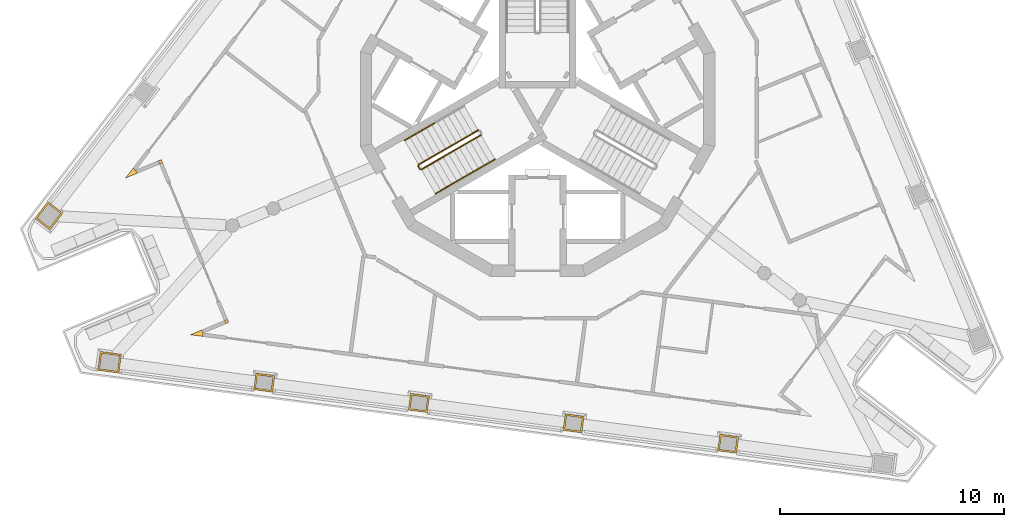
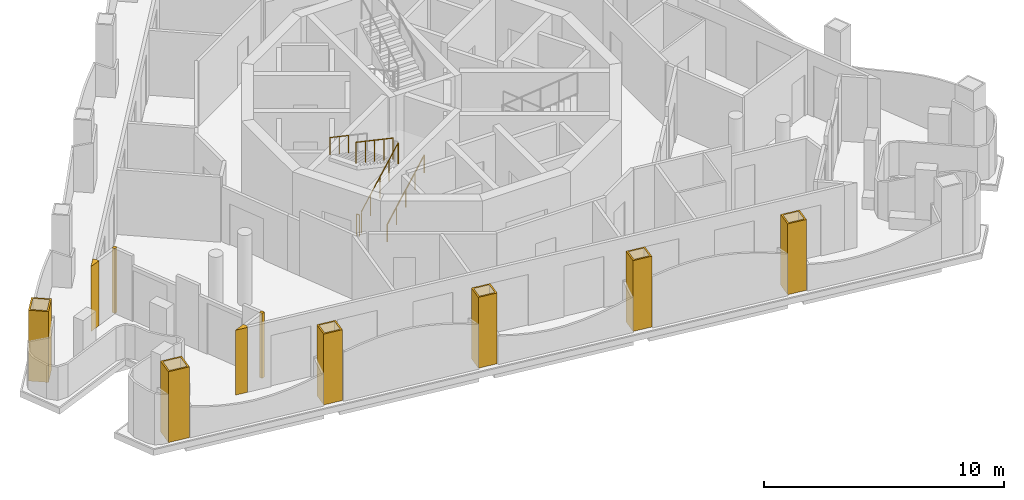
# One storey, part 7 of 12: 10 coverings, 6 railings.
"""IFC4 building model written with IfcOpenShell, lengths in metres."""

from ifc_helpers import new_model, si_unit, direction, frame, origin, origin_2d, place, context, subcontext, project, spatial, polyline, circle, outline, extrude, material, layer, layer_set, type_object, element, save


model = new_model("IFC4")

# Units and contexts
model_context = context("Model", 3, precision=1e-05, world=origin(), true_north=direction((0.0, 1.0)))
body_context = subcontext(model_context, "Body", "Model", "MODEL_VIEW")
ifc_project = project(units=[si_unit("LENGTHUNIT", "METRE"), si_unit("AREAUNIT", "SQUARE_METRE"), si_unit("VOLUMEUNIT", "CUBIC_METRE"), si_unit("PLANEANGLEUNIT", "RADIAN"), si_unit("MASSUNIT", "GRAM", prefix="KILO")], contexts=[model_context])

# Site, building, storey
site_placement = place(None, origin())
site = spatial("IfcSite", under=ifc_project, at=site_placement, CompositionType="ELEMENT")
building_placement = place(site_placement, origin())
building = spatial("IfcBuilding", under=site, at=building_placement, Name="Trine Commons Tower", CompositionType="ELEMENT")
storey_placement = place(building_placement, frame((0.0, 0.0, 282.60009765625)))
storey = spatial("IfcBuildingStorey", under=building, at=storey_placement, Name="L74", CompositionType="ELEMENT", Elevation=282.60009765625)

# Coverings
ifc_material_1 = material(Name="Aluminium-framed insulated wall panel", Category="aluminium")
ifc_layer_1 = layer(ifc_material_1, 0.14990234375)
ifc_layer_set_1 = layer_set([ifc_layer_1], Name="Aluminium-framed insulated wall panel")
covering_type_1 = type_object("IfcCoveringType", Name="Glazing corner post, aluminium", PredefinedType="CLADDING", material=ifc_layer_set_1)
covering_1_placement = place(storey_placement, origin())
element("IfcCovering", 1, at=covering_1_placement, inside=storey, type_object=covering_type_1, Name="Glazing corner post 8-01", PredefinedType="CLADDING", context=body_context, shape_type="SweptSolid", body=[
    extrude(outline(polyline([(62.0380859375, 59.324462890625), (61.919189453125, 59.416015625), (61.578369140625, 58.9716796875), (62.095458984375, 59.18603515625), (62.0380859375, 59.324462890625), (62.0380859375, 59.324462890625)])), origin(), (0.0, 0.0, 1.0), 3.2998046875),
])
covering_2_placement = place(storey_placement, origin())
element("IfcCovering", 2, at=covering_2_placement, inside=storey, type_object=covering_type_1, Name="Glazing corner post 8-10", PredefinedType="CLADDING", context=body_context, shape_type="SweptSolid", body=[
    extrude(outline(polyline([(65.033935546875, 51.895751953125), (65.0537109375, 52.04443359375), (64.99609375, 52.18310546875), (64.47900390625, 51.96875), (65.033935546875, 51.895751953125)])), origin(), (0.0, 0.0, 1.0), 3.2998046875),
])
covering_3_placement = place(storey_placement, origin())
element("IfcCovering", 3, at=covering_3_placement, inside=storey, type_object=covering_type_1, Name="Glazing corner post 8-11", PredefinedType="CLADDING", context=body_context, shape_type="SweptSolid", body=[
    extrude(outline(polyline([(66.056640625, 52.4599609375), (66.1953125, 52.517333984375), (66.137939453125, 52.65576171875), (65.999267578125, 52.598388671875), (66.056640625, 52.4599609375)])), origin(), (0.0, 0.0, 1.0), 3.2998046875),
])
covering_4_placement = place(storey_placement, origin())
element("IfcCovering", 4, at=covering_4_placement, inside=storey, type_object=covering_type_1, Name="Glazing corner post 8-12", PredefinedType="CLADDING", context=body_context, shape_type="SweptSolid", body=[
    extrude(outline(polyline([(63.041015625, 59.739990234375), (63.098388671875, 59.601318359375), (63.237060546875, 59.658935546875), (63.1796875, 59.79736328125), (63.041015625, 59.739990234375)])), origin(), (0.0, 0.0, 1.0), 3.2998046875),
])
ifc_material_2 = material(Name="Limestone, honed", Category="masonry")
ifc_layer_2 = layer(ifc_material_2, 0.074951171875)
ifc_layer_set_2 = layer_set([ifc_layer_2], Name="Limestone, honed")
covering_type_2 = type_object("IfcCoveringType", Name="Limestone column cladding 75", PredefinedType="CLADDING", material=ifc_layer_set_2)
covering_5_placement = place(storey_placement, origin())
element("IfcCovering", 5, at=covering_5_placement, inside=storey, type_object=covering_type_2, Name="Limestone pier cladding 8-02", PredefinedType="CLADDING", context=body_context, shape_type="SweptSolid", body=[
    extrude(outline(polyline([(88.1494140625, 47.526123046875), (88.051513671875, 46.78271484375), (88.89404296875, 46.671630859375), (88.991943359375, 47.415283203125), (88.1494140625, 47.526123046875)]), holes=[polyline([(88.2138671875, 47.44189453125), (88.135498046875, 46.84716796875), (88.82958984375, 46.755859375), (88.907958984375, 47.3505859375), (88.2138671875, 47.44189453125)])]), origin(), (0.0, 0.0, 1.0), 3.599853515625),
])
covering_6_placement = place(storey_placement, origin())
element("IfcCovering", 6, at=covering_6_placement, inside=storey, type_object=covering_type_2, Name="Limestone pier cladding 8-03", PredefinedType="CLADDING", context=body_context, shape_type="SweptSolid", body=[
    extrude(outline(polyline([(81.236328125, 48.436279296875), (81.138427734375, 47.692626953125), (81.981201171875, 47.581787109375), (82.0791015625, 48.3251953125), (81.236328125, 48.436279296875)]), holes=[polyline([(81.30078125, 48.35205078125), (81.222412109375, 47.75732421875), (81.91650390625, 47.666015625), (81.994873046875, 48.2607421875), (81.30078125, 48.35205078125)])]), origin(), (0.0, 0.0, 1.0), 3.599853515625),
])
covering_7_placement = place(storey_placement, origin())
element("IfcCovering", 7, at=covering_7_placement, inside=storey, type_object=covering_type_2, Name="Limestone pier cladding 8-04", PredefinedType="CLADDING", context=body_context, shape_type="SweptSolid", body=[
    extrude(outline(polyline([(74.3232421875, 49.346435546875), (74.225341796875, 48.602783203125), (75.068115234375, 48.49169921875), (75.166015625, 49.2353515625), (74.3232421875, 49.346435546875)]), holes=[polyline([(74.3876953125, 49.26220703125), (74.309326171875, 48.66748046875), (75.00341796875, 48.575927734375), (75.081787109375, 49.1708984375), (74.3876953125, 49.26220703125)])]), origin(), (0.0, 0.0, 1.0), 3.599853515625),
])
covering_8_placement = place(storey_placement, origin())
element("IfcCovering", 8, at=covering_8_placement, inside=storey, type_object=covering_type_2, Name="Limestone pier cladding 8-05", PredefinedType="CLADDING", context=body_context, shape_type="SweptSolid", body=[
    extrude(outline(polyline([(67.41015625, 50.256591796875), (67.312255859375, 49.512939453125), (68.15478515625, 49.40185546875), (68.252685546875, 50.1455078125), (67.41015625, 50.256591796875)]), holes=[polyline([(67.474609375, 50.17236328125), (67.396240234375, 49.577392578125), (68.09033203125, 49.486083984375), (68.168701171875, 50.080810546875), (67.474609375, 50.17236328125)])]), origin(), (0.0, 0.0, 1.0), 3.599853515625),
])
covering_9_placement = place(storey_placement, origin())
element("IfcCovering", 9, at=covering_9_placement, inside=storey, type_object=covering_type_2, Name="Limestone pier cladding 8-06", PredefinedType="CLADDING", context=body_context, shape_type="SweptSolid", body=[
    extrude(outline(polyline([(60.4541015625, 51.22265625), (60.343017578125, 50.3798828125), (61.284912109375, 50.255859375), (61.39599609375, 51.0986328125), (60.4541015625, 51.22265625)]), holes=[polyline([(60.5185546875, 51.138427734375), (60.42724609375, 50.444580078125), (61.220458984375, 50.340087890625), (61.311767578125, 51.0341796875), (60.5185546875, 51.138427734375)])]), origin(), (0.0, 0.0, 1.0), 3.599853515625),
])
covering_10_placement = place(storey_placement, origin())
element("IfcCovering", 10, at=covering_10_placement, inside=storey, type_object=covering_type_2, Name="Limestone pier cladding 8-07", PredefinedType="CLADDING", context=body_context, shape_type="SweptSolid", body=[
    extrude(outline(polyline([(58.782958984375, 57.40673828125), (58.108642578125, 57.92431640625), (57.5302734375, 57.170654296875), (58.20458984375, 56.653076171875), (58.782958984375, 57.40673828125)]), holes=[polyline([(58.677734375, 57.39306640625), (58.122314453125, 57.819091796875), (57.635498046875, 57.184326171875), (58.19091796875, 56.75830078125), (58.677734375, 57.39306640625)])]), origin(), (0.0, 0.0, 1.0), 3.599853515625),
])

# Railings
ifc_material_3 = material(Name="Stainless steel balustrade", Category="steel")
railing_type_1 = type_object("IfcRailingType", Name="Stair guard, steel balustrade 1100", PredefinedType="GUARDRAIL", material=ifc_material_3)
railing_1_placement = place(storey_placement, frame((74.80517578125, 59.3564453125, 0.14990234375)))
element("IfcRailing", 11, at=railing_1_placement, inside=storey, type_object=railing_type_1, Name="L74 ST2D stair guard 1", PredefinedType="GUARDRAIL", context=body_context, shape_type="SweptSolid", body=[
    extrude(circle(Radius=0.02392578125, at=origin_2d()), frame((0.0, 0.0, 1.076171875), z_axis=(0.76340495495, 0.440743040072, 0.472184759798), x_axis=(-0.499992328818, 0.866029832698, 0.0)), (0.0, 0.0, 1.0), 3.494140625),
    extrude(circle(Radius=0.02099609375, at=origin_2d()), origin(), (0.0, 0.0, 1.0), 1.052001953125),
    extrude(circle(Radius=0.02099609375, at=origin_2d()), frame((0.6669921875, 0.385009765625, 0.41259765625)), (0.0, 0.0, 1.0), 1.052001953125),
    extrude(circle(Radius=0.02099609375, at=origin_2d()), frame((1.333740234375, 0.77001953125, 0.824951171875)), (0.0, 0.0, 1.0), 1.052001953125),
    extrude(circle(Radius=0.02099609375, at=origin_2d()), frame((2.00048828125, 1.155029296875, 1.2373046875)), (0.0, 0.0, 1.0), 1.052001953125),
    extrude(circle(Radius=0.02099609375, at=origin_2d()), frame((2.66748046875, 1.5400390625, 1.64990234375)), (0.0, 0.0, 1.0), 1.052001953125),
])
railing_2_placement = place(storey_placement, frame((77.34765625, 61.113037109375, 1.949951171875)))
element("IfcRailing", 12, at=railing_2_placement, inside=storey, type_object=railing_type_1, Name="L74 ST2D stair guard 3", PredefinedType="GUARDRAIL", context=body_context, shape_type="SweptSolid", body=[
    extrude(circle(Radius=0.02392578125, at=origin_2d()), frame((0.0, 0.0, 1.076171875), z_axis=(-0.76340495495, -0.440743040072, 0.472184759798), x_axis=(0.499992328818, -0.866029832698, 0.0)), (0.0, 0.0, 1.0), 3.494140625),
    extrude(circle(Radius=0.02099609375, at=origin_2d()), origin(), (0.0, 0.0, 1.0), 1.052001953125),
    extrude(circle(Radius=0.02099609375, at=origin_2d()), frame((-0.6669921875, -0.385009765625, 0.41259765625)), (0.0, 0.0, 1.0), 1.052001953125),
    extrude(circle(Radius=0.02099609375, at=origin_2d()), frame((-1.333740234375, -0.77001953125, 0.824951171875)), (0.0, 0.0, 1.0), 1.052001953125),
    extrude(circle(Radius=0.02099609375, at=origin_2d()), frame((-2.00048828125, -1.155029296875, 1.2373046875)), (0.0, 0.0, 1.0), 1.052001953125),
    extrude(circle(Radius=0.02099609375, at=origin_2d()), frame((-2.66748046875, -1.5400390625, 1.64990234375)), (0.0, 0.0, 1.0), 1.052001953125),
])
railing_3_placement = place(storey_placement, frame((74.73681640625, 59.374755859375, 0.0)))
element("IfcRailing", 13, at=railing_3_placement, inside=storey, type_object=railing_type_1, Name="L74 ST2D stair guard 4", PredefinedType="GUARDRAIL", context=body_context, shape_type="SweptSolid", body=[
    extrude(circle(Radius=0.02392578125, at=origin_2d()), frame((0.0, 0.0, 1.076171875), z_axis=(-0.499816412211, 0.866131372301, 0.0), x_axis=(-0.866131372301, -0.499816412211, 0.0)), (0.0, 0.0, 1.0), 0.14990234375),
    extrude(circle(Radius=0.02099609375, at=origin_2d()), origin(), (0.0, 0.0, 1.0), 1.052001953125),
    extrude(circle(Radius=0.02099609375, at=origin_2d()), frame((-0.074951171875, 0.1298828125, 0.0)), (0.0, 0.0, 1.0), 1.052001953125),
])
ifc_material_4 = material(Name="Stainless steel handrail", Category="steel")
railing_type_2 = type_object("IfcRailingType", Name="Stair handrail, steel 900", PredefinedType="HANDRAIL", material=ifc_material_4)
for number, where, name in (
    (14, (75.43017578125, 58.27392578125, 0.14990234375), "L74 ST2D stair handrail 1"),
    (15, (76.763916015625, 59.0439453125, 0.974853515625), "L74 ST2D stair handrail 2"),
):
    element("IfcRailing", number, at=place(storey_placement, frame(where)), inside=storey, type_object=railing_type_2, Name=name, PredefinedType="HANDRAIL", context=body_context, shape_type="SweptSolid", body=[
        extrude(circle(Radius=0.02099609375, at=origin_2d()), frame((0.0, 0.0, 0.87890625), z_axis=(0.76340495495, 0.440743040072, 0.472184759798), x_axis=(-0.499992328818, 0.866029832698, 0.0)), (0.0, 0.0, 1.0), 1.7470703125),
        extrude(circle(Radius=0.01513671875, at=origin_2d()), origin(), (0.0, 0.0, 1.0), 0.85791015625),
        extrude(circle(Radius=0.01513671875, at=origin_2d()), frame((0.6669921875, 0.385009765625, 0.41259765625)), (0.0, 0.0, 1.0), 0.85791015625),
        extrude(circle(Radius=0.01513671875, at=origin_2d()), frame((1.333740234375, 0.77001953125, 0.824951171875)), (0.0, 0.0, 1.0), 0.85791015625),
    ])
railing_4_placement = place(storey_placement, frame((75.388916015625, 61.425537109375, 2.77490234375)))
element("IfcRailing", 16, at=railing_4_placement, inside=storey, type_object=railing_type_2, Name="L74 ST2D stair handrail 4", PredefinedType="HANDRAIL", context=body_context, shape_type="SweptSolid", body=[
    extrude(circle(Radius=0.02099609375, at=origin_2d()), frame((0.0, 0.0, 0.87890625), z_axis=(-0.76340495495, -0.440743040072, 0.472184759798), x_axis=(0.499992328818, -0.866029832698, 0.0)), (0.0, 0.0, 1.0), 1.7470703125),
    extrude(circle(Radius=0.01513671875, at=origin_2d()), origin(), (0.0, 0.0, 1.0), 0.85791015625),
    extrude(circle(Radius=0.01513671875, at=origin_2d()), frame((-0.6669921875, -0.385009765625, 0.41259765625)), (0.0, 0.0, 1.0), 0.85791015625),
    extrude(circle(Radius=0.01513671875, at=origin_2d()), frame((-1.333740234375, -0.77001953125, 0.824951171875)), (0.0, 0.0, 1.0), 0.85791015625),
])

save(model, "model.ifc")
